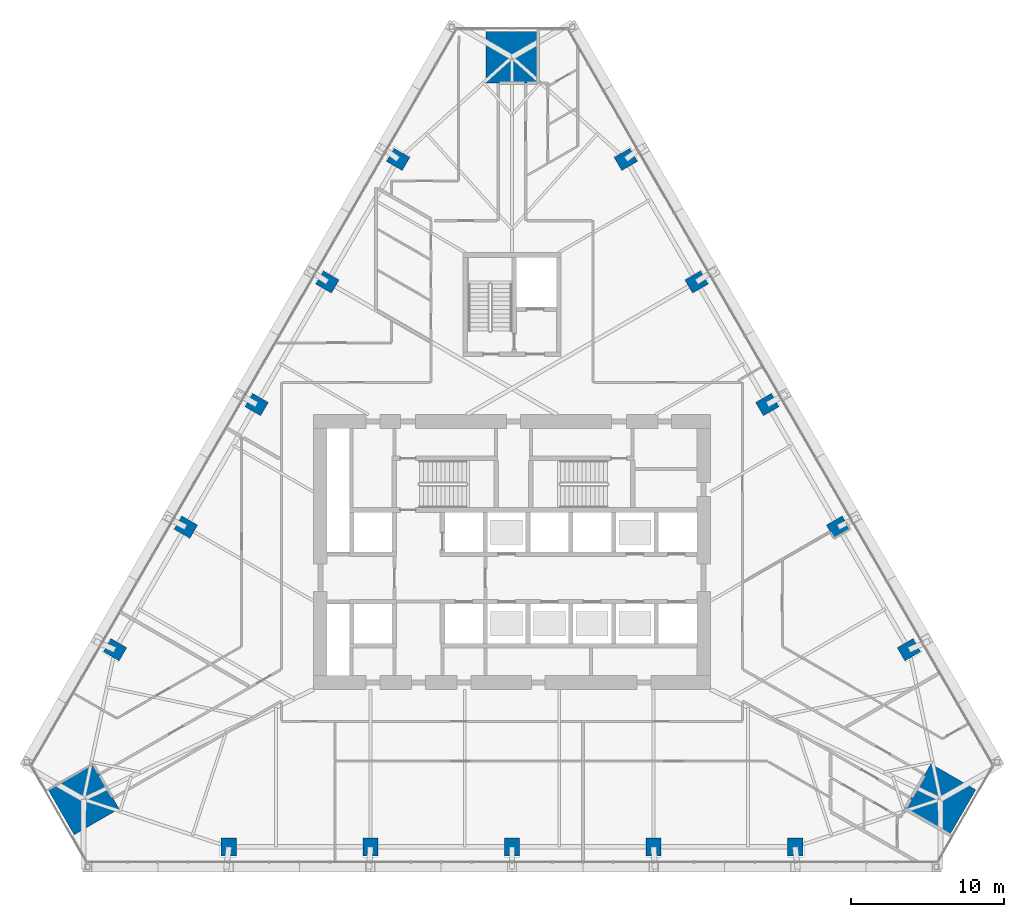
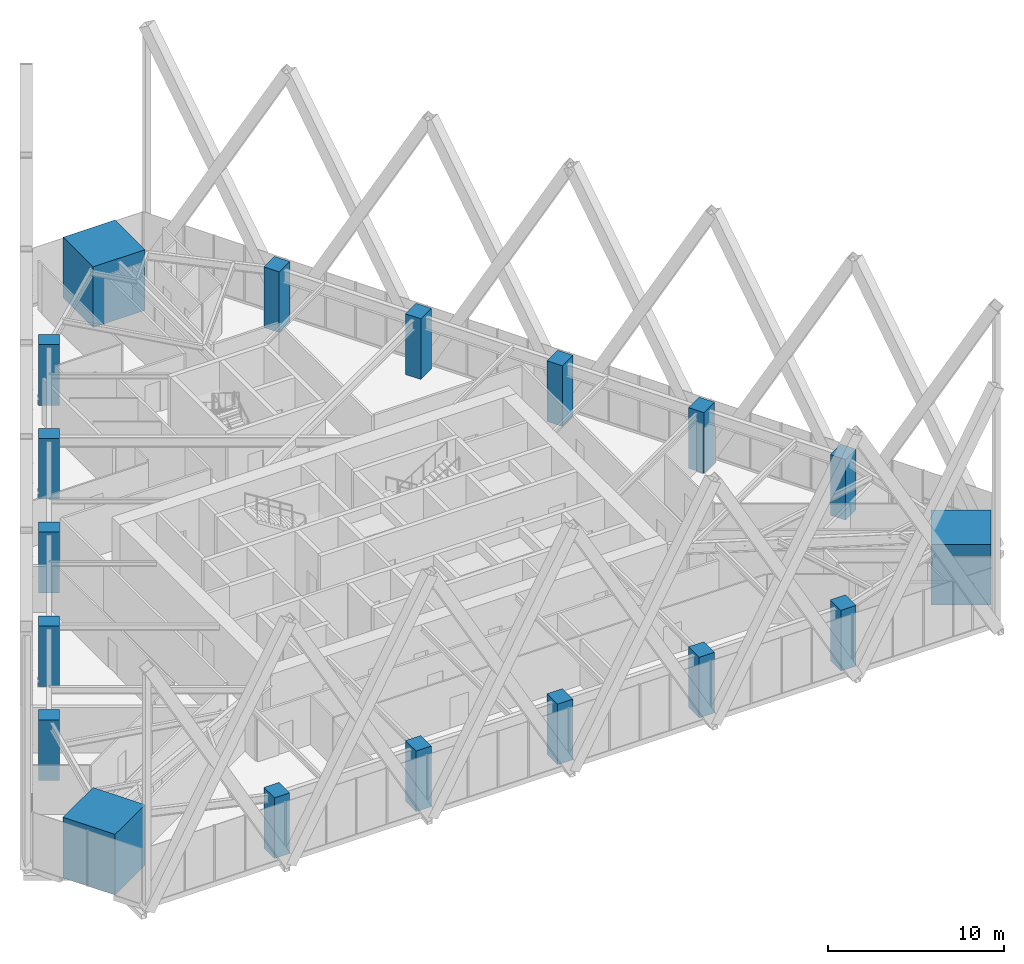
# One storey, part 1 of 19: 18 columns.
"""IFC4 building model written with IfcOpenShell, lengths in metres."""

from ifc_helpers import new_model, si_unit, direction, frame, origin, origin_2d, place, context, subcontext, project, spatial, rectangle, extrude, material, material_profile, profile_set, type_object, element, save


model = new_model("IFC4")

# Units and contexts
model_context = context("Model", 3, precision=1e-05, world=origin(), true_north=direction((0.0, 1.0)))
body_context = subcontext(model_context, "Body", "Model", "MODEL_VIEW")
ifc_project = project(units=[si_unit("LENGTHUNIT", "METRE"), si_unit("AREAUNIT", "SQUARE_METRE"), si_unit("VOLUMEUNIT", "CUBIC_METRE"), si_unit("PLANEANGLEUNIT", "RADIAN"), si_unit("MASSUNIT", "GRAM", prefix="KILO")], contexts=[model_context])

# Site, building, storey
site_placement = place(None, origin())
site = spatial("IfcSite", under=ifc_project, at=site_placement, CompositionType="ELEMENT")
building_placement = place(site_placement, origin())
building = spatial("IfcBuilding", under=site, at=building_placement, Name="Firuza Gate Tower and Library", CompositionType="ELEMENT")
storey_placement = place(building_placement, frame((0.0, 0.0, 124.0)))
storey = spatial("IfcBuildingStorey", under=building, at=storey_placement, Name="L28", CompositionType="ELEMENT", Elevation=124.0)

# Columns
ifc_material_1 = material(Name="Concrete C80/95", Category="concrete")
ifc_material_profile_1 = material_profile(ifc_material_1, rectangle(XDim=3.39990234375, YDim=3.39990234375, at=origin_2d()))
ifc_profile_set_1 = profile_set([ifc_material_profile_1], Name="Concrete C80/95")
column_type_1 = type_object("IfcColumnType", Name="Mega column 3400x3400 C80/95", PredefinedType="COLUMN", material=ifc_profile_set_1)
for number, where, z_axis, x_axis, name in (
    (1, (103.05810546875, 58.80078125, 0.0), (0.0, 0.0, 1.0), (0.5, 0.866025403784, 0.0), "Mega column SE L28"),
    (2, (75.0, 107.398681640625, 0.0), (0.0, 0.0, 1.0), (-1.0, 0.0, 0.0), "Mega column N L28"),
    (3, (46.94189453125, 58.80078125, 0.0), (0.0, 0.0, 1.0), (0.5, -0.866025403784, 0.0), "Mega column SW L28"),
):
    element("IfcColumn", number, at=place(storey_placement, frame(where, z_axis=z_axis, x_axis=x_axis)), inside=storey, type_object=column_type_1, Name=name, PredefinedType="COLUMN", context=body_context, shape_type="SweptSolid", body=[
        extrude(rectangle(XDim=3.39990234375, YDim=3.39990234375, at=origin_2d()), origin(), (0.0, 0.0, 1.0), 4.199951171875),
    ])
ifc_material_2 = material(Name="Concrete C60/75", Category="concrete")
ifc_material_profile_2 = material_profile(ifc_material_2, rectangle(XDim=1.0, YDim=1.199951171875, at=origin_2d()))
ifc_profile_set_2 = profile_set([ifc_material_profile_2], Name="Concrete C60/75")
column_type_2 = type_object("IfcColumnType", Name="Perimeter column 1000x1200 C60/75", PredefinedType="COLUMN", material=ifc_profile_set_2)
for number, where, z_axis, x_axis, name in (
    (4, (56.455322265625, 55.68310546875, -0.00048828125), (0.0, 0.0, 1.0), (1.0, 0.0, 0.0), "Column S1 L28"),
    (5, (65.727783203125, 55.68310546875, -0.00048828125), (0.0, 0.0, 1.0), (1.0, 0.0, 0.0), "Column S2 L28"),
    (6, (75.0, 55.68310546875, -0.00048828125), (0.0, 0.0, 1.0), (1.0, 0.0, 0.0), "Column S3 L28"),
    (7, (84.272216796875, 55.68310546875, -0.00048828125), (0.0, 0.0, 1.0), (1.0, 0.0, 0.0), "Column S4 L28"),
    (8, (93.544677734375, 55.68310546875, -0.00048828125), (0.0, 0.0, 1.0), (1.0, 0.0, 0.0), "Column S5 L28"),
    (9, (101.001220703125, 68.598388671875, -0.00048828125), (0.0, 0.0, 1.0), (-0.5, 0.866025403784, 0.0), "Column E1 L28"),
    (10, (96.365234375, 76.62841796875, -0.00048828125), (0.0, 0.0, 1.0), (-0.5, 0.866025403784, 0.0), "Column E2 L28"),
    (11, (91.72900390625, 84.658447265625, -0.00048828125), (0.0, 0.0, 1.0), (-0.5, 0.866025403784, 0.0), "Column E3 L28"),
    (12, (87.0927734375, 92.6884765625, -0.00048828125), (0.0, 0.0, 1.0), (-0.5, 0.866025403784, 0.0), "Column E4 L28"),
    (13, (82.456787109375, 100.718505859375, -0.00048828125), (0.0, 0.0, 1.0), (-0.5, 0.866025403784, 0.0), "Column E5 L28"),
    (14, (67.543212890625, 100.718505859375, -0.00048828125), (0.0, 0.0, 1.0), (-0.5, -0.866025403784, 0.0), "Column W1 L28"),
    (15, (62.9072265625, 92.6884765625, -0.00048828125), (0.0, 0.0, 1.0), (-0.5, -0.866025403784, 0.0), "Column W2 L28"),
    (16, (58.27099609375, 84.658447265625, -0.00048828125), (0.0, 0.0, 1.0), (-0.5, -0.866025403784, 0.0), "Column W3 L28"),
    (17, (53.634765625, 76.62841796875, -0.00048828125), (0.0, 0.0, 1.0), (-0.5, -0.866025403784, 0.0), "Column W4 L28"),
    (18, (48.998779296875, 68.598388671875, -0.00048828125), (0.0, 0.0, 1.0), (-0.5, -0.866025403784, 0.0), "Column W5 L28"),
):
    element("IfcColumn", number, at=place(storey_placement, frame(where, z_axis=z_axis, x_axis=x_axis)), inside=storey, type_object=column_type_2, Name=name, PredefinedType="COLUMN", context=body_context, shape_type="SweptSolid", body=[
        extrude(rectangle(XDim=1.0, YDim=1.199951171875, at=origin_2d()), origin(), (0.0, 0.0, 1.0), 4.200439453125),
    ])

save(model, "model.ifc")
